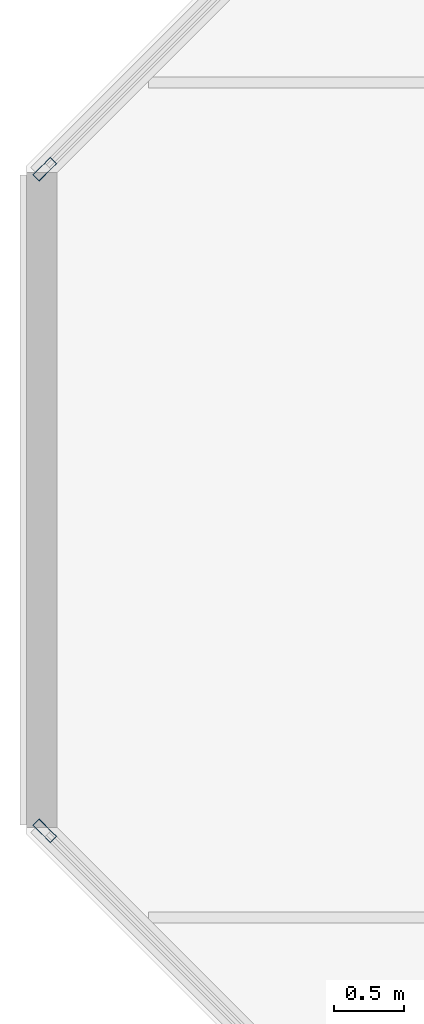
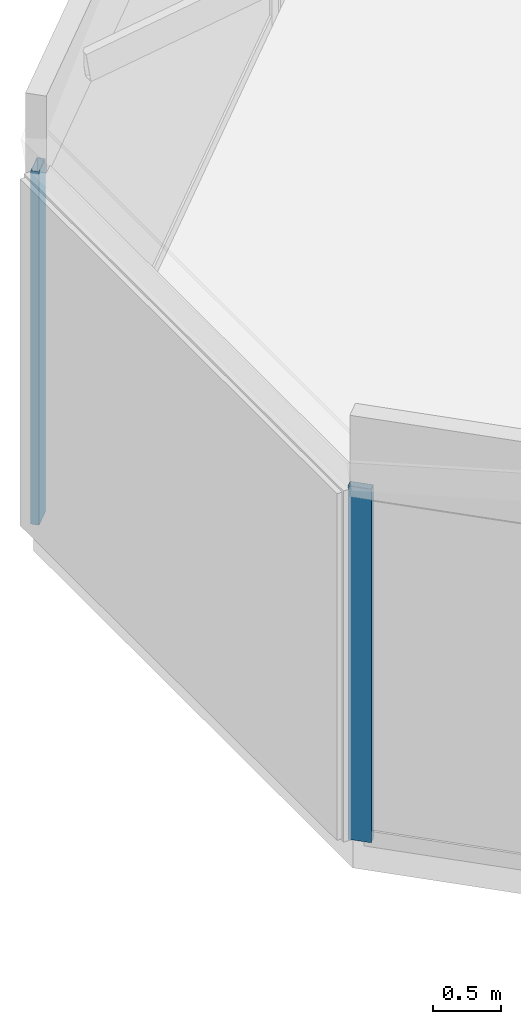
# One storey, part 6 of 30: 2 members, 2 elements without a shape of their own.
"""IFC4 building model written with IfcOpenShell, lengths in metres."""

from ifc_helpers import new_model, si_unit, direction, frame, origin, origin_2d, place, context, subcontext, project, spatial, hollow_rectangle, extrude, material, layer, layer_set, material_profile, profile_set, type_object, element, aggregate, save


model = new_model("IFC4")

# Units and contexts
model_context = context("Model", 3, precision=1e-05, world=origin(), true_north=direction((0.0, 1.0)))
body_context = subcontext(model_context, "Body", "Model", "MODEL_VIEW")
ifc_project = project(units=[si_unit("LENGTHUNIT", "METRE"), si_unit("AREAUNIT", "SQUARE_METRE"), si_unit("VOLUMEUNIT", "CUBIC_METRE"), si_unit("PLANEANGLEUNIT", "RADIAN"), si_unit("MASSUNIT", "GRAM", prefix="KILO")], contexts=[model_context])

# Site, building, storey
site_placement = place(None, origin())
site = spatial("IfcSite", under=ifc_project, at=site_placement, CompositionType="ELEMENT")
building_placement = place(site_placement, origin())
building = spatial("IfcBuilding", under=site, at=building_placement, Name="Tanjung Sevakor Pilgrim Tower", CompositionType="ELEMENT")
storey_placement = place(building_placement, frame((0.0, 0.0, 287.760009765625)))
storey = spatial("IfcBuildingStorey", under=building, at=storey_placement, Name="L80", CompositionType="ELEMENT", Elevation=287.760009765625)

# Curtain wall, member
ifc_material_1 = material(Name="Aluminium 6063-T6 and Low-E Glass", Category="aluminium")
ifc_layer = layer(ifc_material_1, 0.179931640625)
ifc_layer_set = layer_set([ifc_layer], Name="CW-SYS-CHAM")
curtain_wall_type = type_object("IfcCurtainWallType", Name="CW-SYS-CHAM", PredefinedType="NOTDEFINED", material=ifc_layer_set)
curtain_wall_1_placement = place(storey_placement, origin())
curtain_wall_1 = element("IfcCurtainWall", 1, at=curtain_wall_1_placement, inside=storey, type_object=curtain_wall_type, Name="L80 Curtain Wall CW-CHM-L80-EAST-5B4", PredefinedType="NOTDEFINED")
ifc_material_2 = material(Name="Aluminium 6063-T6", Category="aluminium")
ifc_material_profile = material_profile(ifc_material_2, hollow_rectangle(XDim=0.06494140625, YDim=0.179931640625, WallThickness=0.00390625, at=origin_2d()))
ifc_profile_set = profile_set([ifc_material_profile], Name="Aluminium 6063-T6")
member_type = type_object("IfcMemberType", Name="TYPE-CWM-1", PredefinedType="MULLION", material=ifc_profile_set)
member_1_placement = place(storey_placement, frame((52.23291015625, 35.977294921875, 0.0), z_axis=(0.0, 0.0, 1.0), x_axis=(0.707106781187, -0.707106781187, 0.0)))
member_1 = element("IfcMember", 2, at=member_1_placement, type_object=member_type, Name="CW-CHM mullion 2", PredefinedType="MULLION", context=body_context, shape_type="SweptSolid", body=[
    extrude(hollow_rectangle(XDim=0.06494140625, YDim=0.179931640625, WallThickness=0.00390625, at=origin_2d()), origin(), (0.0, 0.0, 1.0), 3.17724609375),
])
aggregate(curtain_wall_1, [member_1])

curtain_wall_2_placement = place(storey_placement, origin())
curtain_wall_2 = element("IfcCurtainWall", 3, at=curtain_wall_2_placement, inside=storey, type_object=curtain_wall_type, Name="L80 Curtain Wall CW-CHM-L80-EAST-7B1", PredefinedType="NOTDEFINED")
member_2_placement = place(storey_placement, frame((52.23291015625, 31.22265625, 0.0), z_axis=(0.0, 0.0, 1.0), x_axis=(0.707106781187, 0.707106781187, 0.0)))
member_2 = element("IfcMember", 4, at=member_2_placement, type_object=member_type, Name="CW-CHM mullion 1", PredefinedType="MULLION", context=body_context, shape_type="SweptSolid", body=[
    extrude(hollow_rectangle(XDim=0.06494140625, YDim=0.179931640625, WallThickness=0.00390625, at=origin_2d()), origin(), (0.0, 0.0, 1.0), 3.17724609375),
])
aggregate(curtain_wall_2, [member_2])

save(model, "model.ifc")
